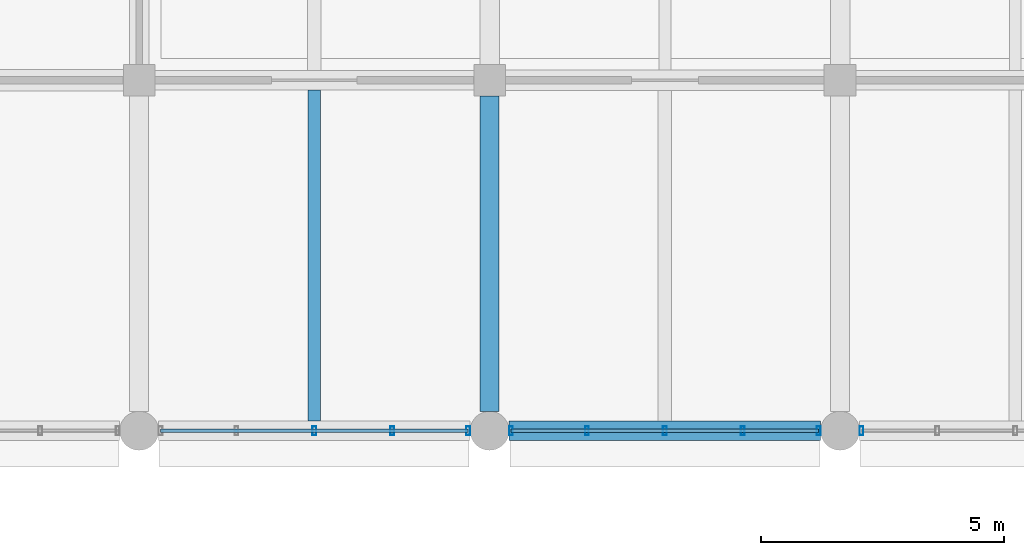
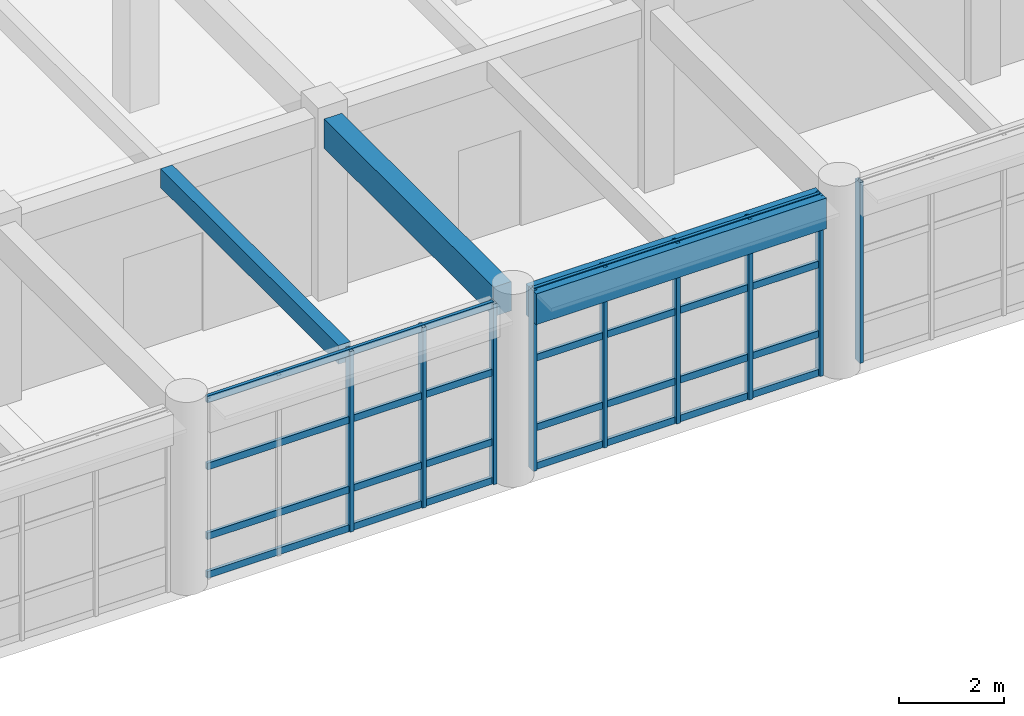
# One storey, part 25 of 171: 17 members, 3 beams, 3 elements without a shape of their own.
"""IFC4 building model written with IfcOpenShell, lengths in metres."""

from ifc_helpers import new_model, si_unit, direction, frame, origin, origin_2d, place, context, subcontext, project, spatial, rectangle, hollow_rectangle, extrude, material, material_profile, profile_set, type_object, element, aggregate, save


model = new_model("IFC4")

# Units and contexts
model_context = context("Model", 3, precision=1e-05, world=origin(), true_north=direction((0.0, 1.0)))
body_context = subcontext(model_context, "Body", "Model", "MODEL_VIEW")
ifc_project = project(units=[si_unit("LENGTHUNIT", "METRE"), si_unit("AREAUNIT", "SQUARE_METRE"), si_unit("VOLUMEUNIT", "CUBIC_METRE"), si_unit("PLANEANGLEUNIT", "RADIAN"), si_unit("MASSUNIT", "GRAM", prefix="KILO")], contexts=[model_context])

# Site, building, storey
site_placement = place(None, origin())
site = spatial("IfcSite", under=ifc_project, at=site_placement, CompositionType="ELEMENT")
building_placement = place(site_placement, origin())
building = spatial("IfcBuilding", under=site, at=building_placement, Name="Thalmaran Polytechnic", CompositionType="ELEMENT")
storey_placement = place(building_placement, frame((0.0, 0.0, 5.39990234375)))
storey = spatial("IfcBuildingStorey", under=building, at=storey_placement, Name="L01", CompositionType="ELEMENT", Elevation=5.39990234375)

# Beams
ifc_material_1 = material(Name="Concrete C40/50", Category="concrete")
ifc_material_profile_1 = material_profile(ifc_material_1, rectangle(XDim=0.389892578125, YDim=0.68505859375, at=origin_2d()), Name="RC 390x685")
ifc_profile_set_1 = profile_set([ifc_material_profile_1], Name="Concrete C40/50")
beam_type_1 = type_object("IfcBeamType", Name="BM-RC08", PredefinedType="BEAM", material=ifc_profile_set_1)
beam_1_placement = place(storey_placement, frame((36.0, 50.800048828125, 3.86767578125), z_axis=(0.0, 1.0, 0.0), x_axis=(-1.0, 0.0, 0.0)))
element("IfcBeam", 1, at=beam_1_placement, inside=storey, type_object=beam_type_1, Name="Grid Beam B08 L01 Y(5,7)", PredefinedType="BEAM", context=body_context, shape_type="SweptSolid", body=[
    extrude(rectangle(XDim=0.389892578125, YDim=0.68505859375, at=origin_2d()), origin(), (0.0, 0.0, 1.0), 6.474853515625),
])
ifc_material_profile_2 = material_profile(ifc_material_1, rectangle(XDim=0.39990234375, YDim=0.719970703125, at=origin_2d()), Name="RC 400x720")
ifc_profile_set_2 = profile_set([ifc_material_profile_2], Name="Concrete C40/50")
beam_type_2 = type_object("IfcBeamType", Name="BM-SP01", PredefinedType="SPANDREL", material=ifc_profile_set_2)
beam_2_placement = place(storey_placement, frame((36.39990234375, 50.39990234375, 3.85009765625), z_axis=(1.0, 0.0, 0.0), x_axis=(0.0, 1.0, 0.0)))
element("IfcBeam", 2, at=beam_2_placement, inside=storey, type_object=beam_type_2, Name="Grid Beam SP01 L01 X(5,7)", PredefinedType="SPANDREL", context=body_context, shape_type="SweptSolid", body=[
    extrude(rectangle(XDim=0.39990234375, YDim=0.719970703125, at=origin_2d()), origin(), (0.0, 0.0, 1.0), 6.400146484375),
])
ifc_material_profile_3 = material_profile(ifc_material_1, rectangle(XDim=0.260009765625, YDim=0.43994140625, at=origin_2d()), Name="RC 260x440")
ifc_profile_set_3 = profile_set([ifc_material_profile_3], Name="Concrete C40/50")
beam_type_3 = type_object("IfcBeamType", Name="BM-ZJ02", PredefinedType="JOIST", material=ifc_profile_set_3)
beam_3_placement = place(storey_placement, frame((32.39990234375, 50.60009765625, 3.989990234375), z_axis=(0.0, 1.0, 0.0), x_axis=(-1.0, 0.0, 0.0)))
element("IfcBeam", 3, at=beam_3_placement, inside=storey, type_object=beam_type_3, Name="Secondary Floor Rib ZJ02 L01 (4,7)", PredefinedType="JOIST", context=body_context, shape_type="SweptSolid", body=[
    extrude(rectangle(XDim=0.260009765625, YDim=0.43994140625, at=origin_2d()), origin(), (0.0, 0.0, 1.0), 6.7998046875),
])

# Curtain wall, member
ifc_material_2 = material(Name="Aluminium 6063-T6", Category="aluminium")
curtain_wall_type = type_object("IfcCurtainWallType", Name="CW-SC01", PredefinedType="USERDEFINED", material=ifc_material_2)
curtain_wall_1_placement = place(storey_placement, origin())
curtain_wall_1 = element("IfcCurtainWall", 4, at=curtain_wall_1_placement, inside=storey, type_object=curtain_wall_type, Name="Curtain Wall CW-L01-154", ObjectType="STICK CURTAIN WALL", PredefinedType="USERDEFINED")
ifc_material_profile_4 = material_profile(ifc_material_2, hollow_rectangle(XDim=0.080078125, YDim=0.179931640625, WallThickness=0.0048828125, at=origin_2d()), Name="RHS 180x80x5.0")
ifc_profile_set_4 = profile_set([ifc_material_profile_4], Name="Aluminium 6063-T6")
member_type_1 = type_object("IfcMemberType", Name="CW-MUL1", PredefinedType="MULLION", material=ifc_profile_set_4)
member_1_placement = place(storey_placement, frame((43.639892578125, 50.39990234375, 0.0), z_axis=(0.0, 0.0, 1.0), x_axis=(1.0, 0.0, 0.0)))
member_1 = element("IfcMember", 5, at=member_1_placement, type_object=member_type_1, Name="CW-L01-154 Mullion 5", PredefinedType="MULLION", context=body_context, shape_type="SweptSolid", body=[
    extrude(hollow_rectangle(XDim=0.080078125, YDim=0.179931640625, WallThickness=0.0048828125, at=origin_2d()), origin(), (0.0, 0.0, 1.0), 4.210205078125),
])
aggregate(curtain_wall_1, [member_1])

# Curtain wall, members
curtain_wall_2_placement = place(storey_placement, origin())
curtain_wall_2 = element("IfcCurtainWall", 6, at=curtain_wall_2_placement, inside=storey, type_object=curtain_wall_type, Name="Curtain Wall CW-L01-155", ObjectType="STICK CURTAIN WALL", PredefinedType="USERDEFINED")
member_2_placement = place(storey_placement, frame((42.760009765625, 50.39990234375, 0.0), z_axis=(0.0, 0.0, 1.0), x_axis=(1.0, 0.0, 0.0)))
member_2 = element("IfcMember", 7, at=member_2_placement, type_object=member_type_1, Name="CW-L01-155 Mullion 1", PredefinedType="MULLION", context=body_context, shape_type="SweptSolid", body=[
    extrude(hollow_rectangle(XDim=0.080078125, YDim=0.179931640625, WallThickness=0.0048828125, at=origin_2d()), origin(), (0.0, 0.0, 1.0), 4.210205078125),
])
member_3_placement = place(storey_placement, frame((41.199951171875, 50.39990234375, 0.0), z_axis=(0.0, 0.0, 1.0), x_axis=(1.0, 0.0, 0.0)))
member_3 = element("IfcMember", 8, at=member_3_placement, type_object=member_type_1, Name="CW-L01-155 Mullion 2", PredefinedType="MULLION", context=body_context, shape_type="SweptSolid", body=[
    extrude(hollow_rectangle(XDim=0.080078125, YDim=0.179931640625, WallThickness=0.0048828125, at=origin_2d()), origin(), (0.0, 0.0, 1.0), 4.210205078125),
])
member_4_placement = place(storey_placement, frame((39.60009765625, 50.39990234375, 0.0), z_axis=(0.0, 0.0, 1.0), x_axis=(1.0, 0.0, 0.0)))
member_4 = element("IfcMember", 9, at=member_4_placement, type_object=member_type_1, Name="CW-L01-155 Mullion 3", PredefinedType="MULLION", context=body_context, shape_type="SweptSolid", body=[
    extrude(hollow_rectangle(XDim=0.080078125, YDim=0.179931640625, WallThickness=0.0048828125, at=origin_2d()), origin(), (0.0, 0.0, 1.0), 4.210205078125),
])
member_5_placement = place(storey_placement, frame((38.0, 50.39990234375, 0.0), z_axis=(0.0, 0.0, 1.0), x_axis=(1.0, 0.0, 0.0)))
member_5 = element("IfcMember", 10, at=member_5_placement, type_object=member_type_1, Name="CW-L01-155 Mullion 4", PredefinedType="MULLION", context=body_context, shape_type="SweptSolid", body=[
    extrude(hollow_rectangle(XDim=0.080078125, YDim=0.179931640625, WallThickness=0.0048828125, at=origin_2d()), origin(), (0.0, 0.0, 1.0), 4.210205078125),
])
member_6_placement = place(storey_placement, frame((36.43994140625, 50.39990234375, 0.0), z_axis=(0.0, 0.0, 1.0), x_axis=(1.0, 0.0, 0.0)))
member_6 = element("IfcMember", 11, at=member_6_placement, type_object=member_type_1, Name="CW-L01-155 Mullion 5", PredefinedType="MULLION", context=body_context, shape_type="SweptSolid", body=[
    extrude(hollow_rectangle(XDim=0.080078125, YDim=0.179931640625, WallThickness=0.0048828125, at=origin_2d()), origin(), (0.0, 0.0, 1.0), 4.210205078125),
])

curtain_wall_3_placement = place(storey_placement, origin())
curtain_wall_3 = element("IfcCurtainWall", 12, at=curtain_wall_3_placement, inside=storey, type_object=curtain_wall_type, Name="Curtain Wall CW-L01-156", ObjectType="STICK CURTAIN WALL", PredefinedType="USERDEFINED")
member_7_placement = place(storey_placement, frame((35.56005859375, 50.39990234375, 0.0), z_axis=(0.0, 0.0, 1.0), x_axis=(1.0, 0.0, 0.0)))
member_7 = element("IfcMember", 13, at=member_7_placement, type_object=member_type_1, Name="CW-L01-156 Mullion 1", PredefinedType="MULLION", context=body_context, shape_type="SweptSolid", body=[
    extrude(hollow_rectangle(XDim=0.080078125, YDim=0.179931640625, WallThickness=0.0048828125, at=origin_2d()), origin(), (0.0, 0.0, 1.0), 4.210205078125),
])
member_8_placement = place(storey_placement, frame((34.0, 50.39990234375, 0.0), z_axis=(0.0, 0.0, 1.0), x_axis=(1.0, 0.0, 0.0)))
member_8 = element("IfcMember", 14, at=member_8_placement, type_object=member_type_1, Name="CW-L01-156 Mullion 2", PredefinedType="MULLION", context=body_context, shape_type="SweptSolid", body=[
    extrude(hollow_rectangle(XDim=0.080078125, YDim=0.179931640625, WallThickness=0.0048828125, at=origin_2d()), origin(), (0.0, 0.0, 1.0), 4.210205078125),
])
member_9_placement = place(storey_placement, frame((32.39990234375, 50.39990234375, 0.0), z_axis=(0.0, 0.0, 1.0), x_axis=(1.0, 0.0, 0.0)))
member_9 = element("IfcMember", 15, at=member_9_placement, type_object=member_type_1, Name="CW-L01-156 Mullion 3", PredefinedType="MULLION", context=body_context, shape_type="SweptSolid", body=[
    extrude(hollow_rectangle(XDim=0.080078125, YDim=0.179931640625, WallThickness=0.0048828125, at=origin_2d()), origin(), (0.0, 0.0, 1.0), 4.210205078125),
])

# Member
ifc_material_profile_5 = material_profile(ifc_material_2, hollow_rectangle(XDim=0.070068359375, YDim=0.159912109375, WallThickness=0.00390625, at=origin_2d()), Name="AL 160x70x4.0")
ifc_profile_set_5 = profile_set([ifc_material_profile_5], Name="Aluminium 6063-T6")
member_type_2 = type_object("IfcMemberType", Name="CW-TRN1", PredefinedType="USERDEFINED", material=ifc_profile_set_5)
member_10_placement = place(storey_placement, frame((42.760009765625, 50.39990234375, 0.06005859375), z_axis=(-1.0, 0.0, 0.0), x_axis=(0.0, -1.0, 0.0)))
member_10 = element("IfcMember", 16, at=member_10_placement, type_object=member_type_2, Name="CW-L01-155 Transom 1", ObjectType="TRANSOM", PredefinedType="USERDEFINED", context=body_context, shape_type="SweptSolid", body=[
    extrude(hollow_rectangle(XDim=0.070068359375, YDim=0.159912109375, WallThickness=0.00390625, at=origin_2d()), origin(), (0.0, 0.0, 1.0), 6.320068359375),
])

member_11_placement = place(storey_placement, frame((42.760009765625, 50.39990234375, 0.960205078125), z_axis=(-1.0, 0.0, 0.0), x_axis=(0.0, -1.0, 0.0)))
member_11 = element("IfcMember", 17, at=member_11_placement, type_object=member_type_2, Name="CW-L01-155 Transom 2", ObjectType="TRANSOM", PredefinedType="USERDEFINED", context=body_context, shape_type="SweptSolid", body=[
    extrude(hollow_rectangle(XDim=0.070068359375, YDim=0.159912109375, WallThickness=0.00390625, at=origin_2d()), origin(), (0.0, 0.0, 1.0), 6.320068359375),
])

member_12_placement = place(storey_placement, frame((42.760009765625, 50.39990234375, 2.585205078125), z_axis=(-1.0, 0.0, 0.0), x_axis=(0.0, -1.0, 0.0)))
member_12 = element("IfcMember", 18, at=member_12_placement, type_object=member_type_2, Name="CW-L01-155 Transom 3", ObjectType="TRANSOM", PredefinedType="USERDEFINED", context=body_context, shape_type="SweptSolid", body=[
    extrude(hollow_rectangle(XDim=0.070068359375, YDim=0.159912109375, WallThickness=0.00390625, at=origin_2d()), origin(), (0.0, 0.0, 1.0), 6.320068359375),
])

member_13_placement = place(storey_placement, frame((42.760009765625, 50.39990234375, 4.150146484375), z_axis=(-1.0, 0.0, 0.0), x_axis=(0.0, -1.0, 0.0)))
member_13 = element("IfcMember", 19, at=member_13_placement, type_object=member_type_2, Name="CW-L01-155 Transom 4", ObjectType="TRANSOM", PredefinedType="USERDEFINED", context=body_context, shape_type="SweptSolid", body=[
    extrude(hollow_rectangle(XDim=0.070068359375, YDim=0.159912109375, WallThickness=0.00390625, at=origin_2d()), origin(), (0.0, 0.0, 1.0), 6.320068359375),
])

aggregate(curtain_wall_2, [member_2, member_3, member_4, member_5, member_6, member_10, member_11, member_12, member_13])

member_14_placement = place(storey_placement, frame((35.56005859375, 50.39990234375, 0.06005859375), z_axis=(-1.0, 0.0, 0.0), x_axis=(0.0, -1.0, 0.0)))
member_14 = element("IfcMember", 20, at=member_14_placement, type_object=member_type_2, Name="CW-L01-156 Transom 1", ObjectType="TRANSOM", PredefinedType="USERDEFINED", context=body_context, shape_type="SweptSolid", body=[
    extrude(hollow_rectangle(XDim=0.070068359375, YDim=0.159912109375, WallThickness=0.00390625, at=origin_2d()), origin(), (0.0, 0.0, 1.0), 6.320068359375),
])

member_15_placement = place(storey_placement, frame((35.56005859375, 50.39990234375, 0.960205078125), z_axis=(-1.0, 0.0, 0.0), x_axis=(0.0, -1.0, 0.0)))
member_15 = element("IfcMember", 21, at=member_15_placement, type_object=member_type_2, Name="CW-L01-156 Transom 2", ObjectType="TRANSOM", PredefinedType="USERDEFINED", context=body_context, shape_type="SweptSolid", body=[
    extrude(hollow_rectangle(XDim=0.070068359375, YDim=0.159912109375, WallThickness=0.00390625, at=origin_2d()), origin(), (0.0, 0.0, 1.0), 6.320068359375),
])

member_16_placement = place(storey_placement, frame((35.56005859375, 50.39990234375, 2.585205078125), z_axis=(-1.0, 0.0, 0.0), x_axis=(0.0, -1.0, 0.0)))
member_16 = element("IfcMember", 22, at=member_16_placement, type_object=member_type_2, Name="CW-L01-156 Transom 3", ObjectType="TRANSOM", PredefinedType="USERDEFINED", context=body_context, shape_type="SweptSolid", body=[
    extrude(hollow_rectangle(XDim=0.070068359375, YDim=0.159912109375, WallThickness=0.00390625, at=origin_2d()), origin(), (0.0, 0.0, 1.0), 6.320068359375),
])

member_17_placement = place(storey_placement, frame((35.56005859375, 50.39990234375, 4.150146484375), z_axis=(-1.0, 0.0, 0.0), x_axis=(0.0, -1.0, 0.0)))
member_17 = element("IfcMember", 23, at=member_17_placement, type_object=member_type_2, Name="CW-L01-156 Transom 4", ObjectType="TRANSOM", PredefinedType="USERDEFINED", context=body_context, shape_type="SweptSolid", body=[
    extrude(hollow_rectangle(XDim=0.070068359375, YDim=0.159912109375, WallThickness=0.00390625, at=origin_2d()), origin(), (0.0, 0.0, 1.0), 6.320068359375),
])

aggregate(curtain_wall_3, [member_7, member_8, member_9, member_14, member_15, member_16, member_17])

save(model, "model.ifc")
